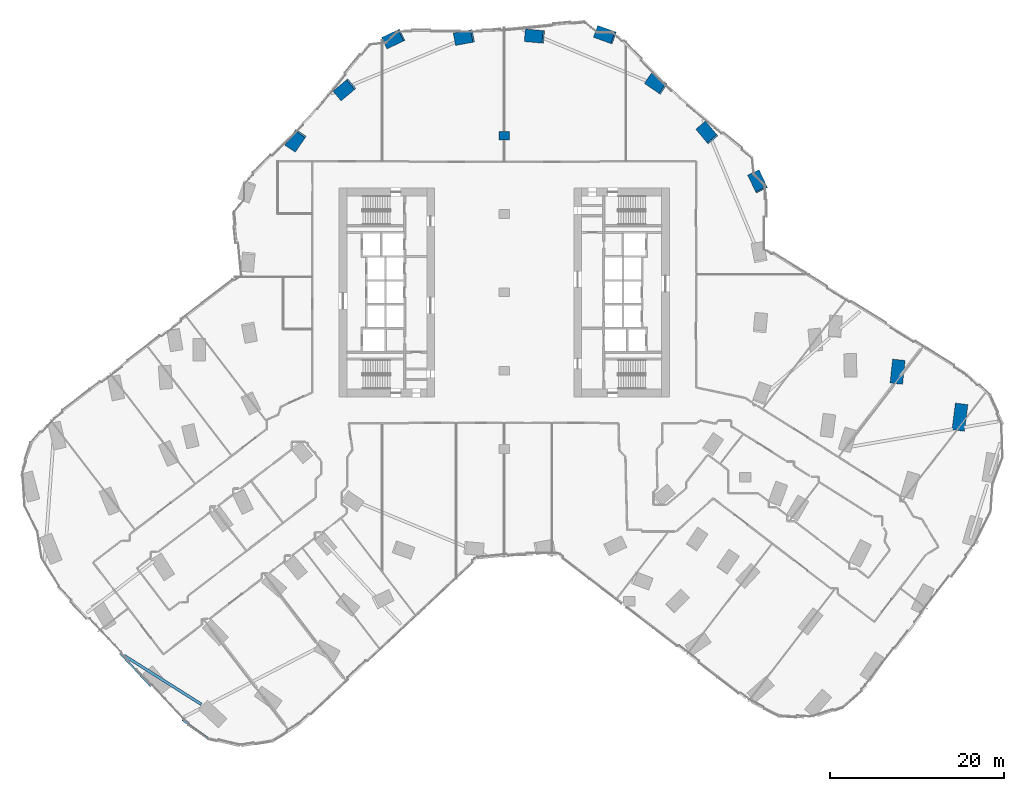
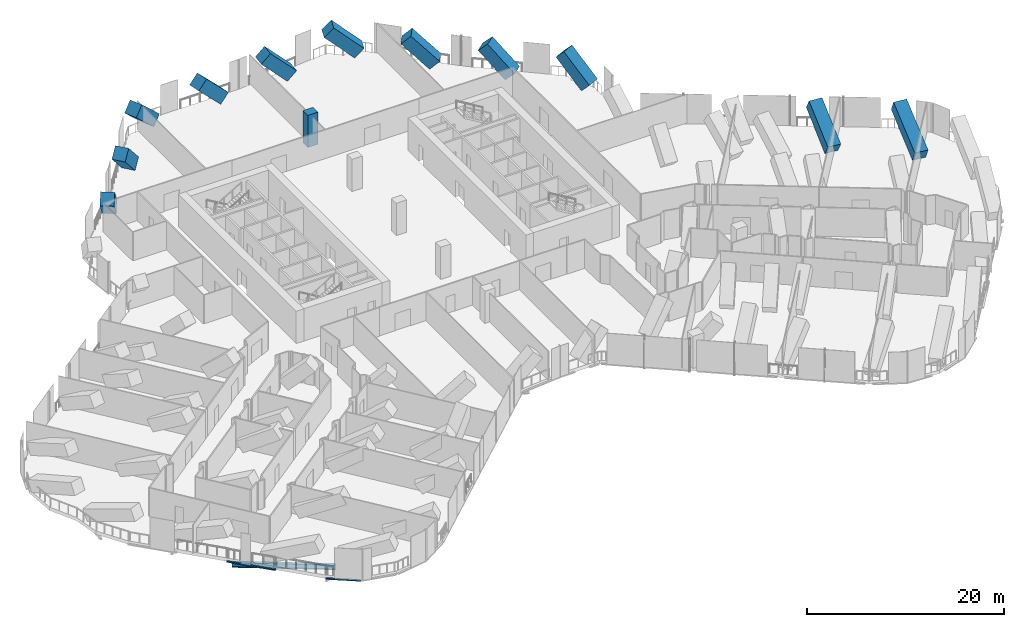
# One storey, part 2 of 32: 12 columns, 2 members, 1 beam, 2 elements without a shape of their own.
"""IFC4 building model written with IfcOpenShell, lengths in metres."""

from ifc_helpers import new_model, si_unit, direction, frame, origin, origin_2d, place, context, subcontext, project, spatial, rectangle, i_section, extrude, material, material_profile, profile_set, type_object, element, aggregate, save


model = new_model("IFC4")

# Units and contexts
model_context = context("Model", 3, precision=1e-05, world=origin(), true_north=direction((0.0, 1.0)))
body_context = subcontext(model_context, "Body", "Model", "MODEL_VIEW")
ifc_project = project(units=[si_unit("LENGTHUNIT", "METRE"), si_unit("AREAUNIT", "SQUARE_METRE"), si_unit("VOLUMEUNIT", "CUBIC_METRE"), si_unit("PLANEANGLEUNIT", "RADIAN"), si_unit("MASSUNIT", "GRAM", prefix="KILO")], contexts=[model_context])

# Site, building, storey
site_placement = place(None, origin())
site = spatial("IfcSite", under=ifc_project, at=site_placement, CompositionType="ELEMENT")
building_placement = place(site_placement, origin())
building = spatial("IfcBuilding", under=site, at=building_placement, Name="Orlundy Tower", CompositionType="ELEMENT")
storey_placement = place(building_placement, frame((0.0, 0.0, 33.300048828125)))
storey = spatial("IfcBuildingStorey", under=building, at=storey_placement, Name="L06", CompositionType="ELEMENT", Elevation=33.300048828125)

# Columns
ifc_material_1 = material(Name="Concrete C80/95", Category="concrete")
ifc_material_profile_1 = material_profile(ifc_material_1, rectangle(XDim=1.199951171875, YDim=1.0, at=origin_2d()), Name="RC1200X1000")
ifc_profile_set_1 = profile_set([ifc_material_profile_1], Name="Concrete C80/95")
column_type_1 = type_object("IfcColumnType", Name="RC COLUMN RC1200X1000 C80/95", PredefinedType="COLUMN", material=ifc_profile_set_1)
column_1_placement = place(storey_placement, frame((0.0, 18.0, 0.0), z_axis=(0.0, 0.0, 1.0), x_axis=(1.0, 0.0, 0.0)))
element("IfcColumn", 1, at=column_1_placement, inside=storey, type_object=column_type_1, Name="Column C-M5 L06", PredefinedType="COLUMN", context=body_context, shape_type="SweptSolid", body=[
    extrude(rectangle(XDim=1.199951171875, YDim=1.0, at=origin_2d()), origin(), (0.0, 0.0, 1.0), 4.0),
])
ifc_material_2 = material(Name="Concrete C80/95", Category="concrete")
ifc_material_profile_2 = material_profile(ifc_material_2, rectangle(XDim=1.449951171875, YDim=1.449951171875, at=origin_2d()), Name="RC1450X1450")
ifc_profile_set_2 = profile_set([ifc_material_profile_2], Name="Concrete C80/95")
column_type_2 = type_object("IfcColumnType", Name="RC COLUMN RC1450X1450 C80/95", PredefinedType="COLUMN", material=ifc_profile_set_2)
column_2_placement = place(storey_placement, frame((45.10400390625, -10.156982421875, 0.6259765625), z_axis=(0.091757731711, 0.858660609492, 0.50426429219), x_axis=(-0.994338753554, 0.106256497119, 0.0)))
element("IfcColumn", 2, at=column_2_placement, inside=storey, type_object=column_type_2, Name="Column C-A5-2 L06 strut", PredefinedType="COLUMN", context=body_context, shape_type="SweptSolid", body=[
    extrude(rectangle(XDim=1.449951171875, YDim=1.449951171875, at=origin_2d()), origin(), (0.0, 0.0, 1.0), 5.44921875),
])
column_3_placement = place(storey_placement, frame((52.218017578125, -15.614990234375, 0.654052734375), z_axis=(0.115123823075, 0.894685515202, 0.431606689299), x_axis=(-0.99182275443, 0.127622975183, 0.0)))
element("IfcColumn", 3, at=column_3_placement, inside=storey, type_object=column_type_2, Name="Column C-A5-3 L06 strut", PredefinedType="COLUMN", context=body_context, shape_type="SweptSolid", body=[
    extrude(rectangle(XDim=1.449951171875, YDim=1.449951171875, at=origin_2d()), origin(), (0.0, 0.0, 1.0), 6.23681640625),
])
column_4_placement = place(storey_placement, frame((29.39990234375, 12.177978515625, 0.529541015625), z_axis=(-0.312560635038, 0.660215598589, 0.682950373603), x_axis=(-0.903829481424, -0.427892823623, 0.0)))
element("IfcColumn", 4, at=column_4_placement, inside=storey, type_object=column_type_2, Name="Column C-H01 L06 strut", PredefinedType="COLUMN", context=body_context, shape_type="SweptSolid", body=[
    extrude(rectangle(XDim=1.449951171875, YDim=1.449951171875, at=origin_2d()), origin(), (0.0, 0.0, 1.0), 4.30615234375),
])
column_5_placement = place(storey_placement, frame((-23.658935546875, 17.9189453125, 0.50830078125), z_axis=(-0.395280825563, -0.579239562537, 0.712905742812), x_axis=(0.825998448397, -0.563672389997, 0.0)))
element("IfcColumn", 5, at=column_5_placement, inside=storey, type_object=column_type_2, Name="Column C-H17 L06 strut", PredefinedType="COLUMN", context=body_context, shape_type="SweptSolid", body=[
    extrude(rectangle(XDim=1.449951171875, YDim=1.449951171875, at=origin_2d()), origin(), (0.0, 0.0, 1.0), 4.1845703125),
])
column_6_placement = place(storey_placement, frame((-17.9189453125, 23.658935546875, 0.50830078125), z_axis=(-0.537268679687, -0.450505155937, 0.713012952408), x_axis=(0.642522431446, -0.766266875891, 0.0)))
element("IfcColumn", 6, at=column_6_placement, inside=storey, type_object=column_type_2, Name="Column C-H18 L06 strut", PredefinedType="COLUMN", context=body_context, shape_type="SweptSolid", body=[
    extrude(rectangle(XDim=1.449951171875, YDim=1.449951171875, at=origin_2d()), origin(), (0.0, 0.0, 1.0), 4.184326171875),
])
column_7_placement = place(storey_placement, frame((-12.177978515625, 29.39990234375, 0.529541015625), z_axis=(-0.660215598589, -0.312560635038, 0.682950373603), x_axis=(0.427892823623, -0.903829481424, 0.0)))
element("IfcColumn", 7, at=column_7_placement, inside=storey, type_object=column_type_2, Name="Column C-H19 L06 strut", PredefinedType="COLUMN", context=body_context, shape_type="SweptSolid", body=[
    extrude(rectangle(XDim=1.449951171875, YDim=1.449951171875, at=origin_2d()), origin(), (0.0, 0.0, 1.0), 4.30615234375),
])
column_8_placement = place(storey_placement, frame((-4.05908203125, 29.39990234375, 0.50830078125), z_axis=(-0.68901191234, -0.130006651481, 0.712994288353), x_axis=(0.185413924034, -0.98266050942, 0.0)))
element("IfcColumn", 8, at=column_8_placement, inside=storey, type_object=column_type_2, Name="Column C-H20 L06 strut", PredefinedType="COLUMN", context=body_context, shape_type="SweptSolid", body=[
    extrude(rectangle(XDim=1.449951171875, YDim=1.449951171875, at=origin_2d()), origin(), (0.0, 0.0, 1.0), 4.18408203125),
])
column_9_placement = place(storey_placement, frame((4.05908203125, 29.39990234375, 0.50830078125), z_axis=(-0.698558188668, 0.061436713661, 0.712910925193), x_axis=(-0.08760971228, -0.99615487667, 0.0)))
element("IfcColumn", 9, at=column_9_placement, inside=storey, type_object=column_type_2, Name="Column C-H21 L06 strut", PredefinedType="COLUMN", context=body_context, shape_type="SweptSolid", body=[
    extrude(rectangle(XDim=1.449951171875, YDim=1.449951171875, at=origin_2d()), origin(), (0.0, 0.0, 1.0), 4.1845703125),
])
column_10_placement = place(storey_placement, frame((12.177978515625, 29.39990234375, 0.529541015625), z_axis=(-0.687967306264, 0.24591316534, 0.682808685229), x_axis=(-0.33659198018, -0.941650592778, 0.0)))
element("IfcColumn", 10, at=column_10_placement, inside=storey, type_object=column_type_2, Name="Column C-H22 L06 strut", PredefinedType="COLUMN", context=body_context, shape_type="SweptSolid", body=[
    extrude(rectangle(XDim=1.449951171875, YDim=1.449951171875, at=origin_2d()), origin(), (0.0, 0.0, 1.0), 4.306640625),
])
column_11_placement = place(storey_placement, frame((17.9189453125, 23.658935546875, 0.50830078125), z_axis=(-0.579239562537, 0.395280825563, 0.712905742812), x_axis=(-0.563672389997, -0.825998448397, 0.0)))
element("IfcColumn", 11, at=column_11_placement, inside=storey, type_object=column_type_2, Name="Column C-H23 L06 strut", PredefinedType="COLUMN", context=body_context, shape_type="SweptSolid", body=[
    extrude(rectangle(XDim=1.449951171875, YDim=1.449951171875, at=origin_2d()), origin(), (0.0, 0.0, 1.0), 4.1845703125),
])
column_12_placement = place(storey_placement, frame((23.658935546875, 17.9189453125, 0.50830078125), z_axis=(-0.450505155937, 0.537268679687, 0.713012952408), x_axis=(-0.766266875891, -0.642522431446, 0.0)))
element("IfcColumn", 12, at=column_12_placement, inside=storey, type_object=column_type_2, Name="Column C-H24 L06 strut", PredefinedType="COLUMN", context=body_context, shape_type="SweptSolid", body=[
    extrude(rectangle(XDim=1.449951171875, YDim=1.449951171875, at=origin_2d()), origin(), (0.0, 0.0, 1.0), 4.184326171875),
])

# Beam
ifc_material_3 = material(Name="Steel ASTM A992 Gr 50", Category="steel")
ifc_material_profile_3 = material_profile(ifc_material_3, i_section(OverallWidth=0.32373046875, OverallDepth=0.611083984375, WebThickness=0.0126953125, FlangeThickness=0.01904296875, at=origin_2d()), Name="W24X104")
ifc_profile_set_3 = profile_set([ifc_material_profile_3], Name="Steel ASTM A992 Gr 50")
beam_type = type_object("IfcBeamType", Name="CANTILEVER GIRDER beam W24X104", PredefinedType="BEAM", material=ifc_profile_set_3)
beam_placement = place(storey_placement, frame((-43.703369140625, -41.730712890625, -0.7255859375), z_axis=(0.845129311913, -0.534561919843, 0.0), x_axis=(0.534561919843, 0.845129311913, 0.0)))
element("IfcBeam", 13, at=beam_placement, inside=storey, type_object=beam_type, Name="Cantilever girder C-B4-5 L06", PredefinedType="BEAM", context=body_context, shape_type="SweptSolid", body=[
    extrude(i_section(OverallWidth=0.32373046875, OverallDepth=0.611083984375, WebThickness=0.0126953125, FlangeThickness=0.01904296875, at=origin_2d()), origin(), (0.0, 0.0, 1.0), 10.5244140625),
])

# Curtain wall, member
ifc_material_4 = material(Name="Aluminium bronze anodised", Category="aluminium")
curtain_wall_type = type_object("IfcCurtainWallType", Name="CW5 wall", PredefinedType="NOTDEFINED", material=ifc_material_4)
curtain_wall_1_placement = place(storey_placement, origin())
curtain_wall_1 = element("IfcCurtainWall", 14, at=curtain_wall_1_placement, inside=storey, type_object=curtain_wall_type, Name="CW5 run 034", PredefinedType="NOTDEFINED")
ifc_material_5 = material(Name="Aluminium bronze anodised", Category="aluminium")
ifc_material_profile_4 = material_profile(ifc_material_5, rectangle(XDim=0.199951171875, YDim=0.139892578125, at=origin_2d()), Name="CW5 transom 200x140")
ifc_profile_set_4 = profile_set([ifc_material_profile_4], Name="Aluminium bronze anodised")
member_type = type_object("IfcMemberType", Name="CW5 transom 200x140", PredefinedType="USERDEFINED", material=ifc_profile_set_4)
member_1_placement = place(storey_placement, frame((-34.05224609375, -51.23974609375, -0.35009765625), z_axis=(-0.813203223234, 0.581979825872, 0.0), x_axis=(-0.581979825872, -0.813203223234, 0.0)))
member_1 = element("IfcMember", 15, at=member_1_placement, type_object=member_type, Name="CW5 transom", ObjectType="TRANSOM", PredefinedType="USERDEFINED", context=body_context, shape_type="SweptSolid", body=[
    extrude(rectangle(XDim=0.199951171875, YDim=0.139892578125, at=origin_2d()), origin(), (0.0, 0.0, 1.0), 3.611083984375),
])
aggregate(curtain_wall_1, [member_1])

curtain_wall_2_placement = place(storey_placement, origin())
curtain_wall_2 = element("IfcCurtainWall", 16, at=curtain_wall_2_placement, inside=storey, type_object=curtain_wall_type, Name="CW5 run 035", PredefinedType="NOTDEFINED")
member_2_placement = place(storey_placement, frame((-40.624755859375, -45.26904296875, -0.35009765625), z_axis=(-0.684116014748, 0.729373209246, 0.0), x_axis=(-0.729373209246, -0.684116014748, 0.0)))
member_2 = element("IfcMember", 17, at=member_2_placement, type_object=member_type, Name="CW5 transom", ObjectType="TRANSOM", PredefinedType="USERDEFINED", context=body_context, shape_type="SweptSolid", body=[
    extrude(rectangle(XDim=0.199951171875, YDim=0.139892578125, at=origin_2d()), origin(), (0.0, 0.0, 1.0), 5.2001953125),
])
aggregate(curtain_wall_2, [member_2])

save(model, "model.ifc")
